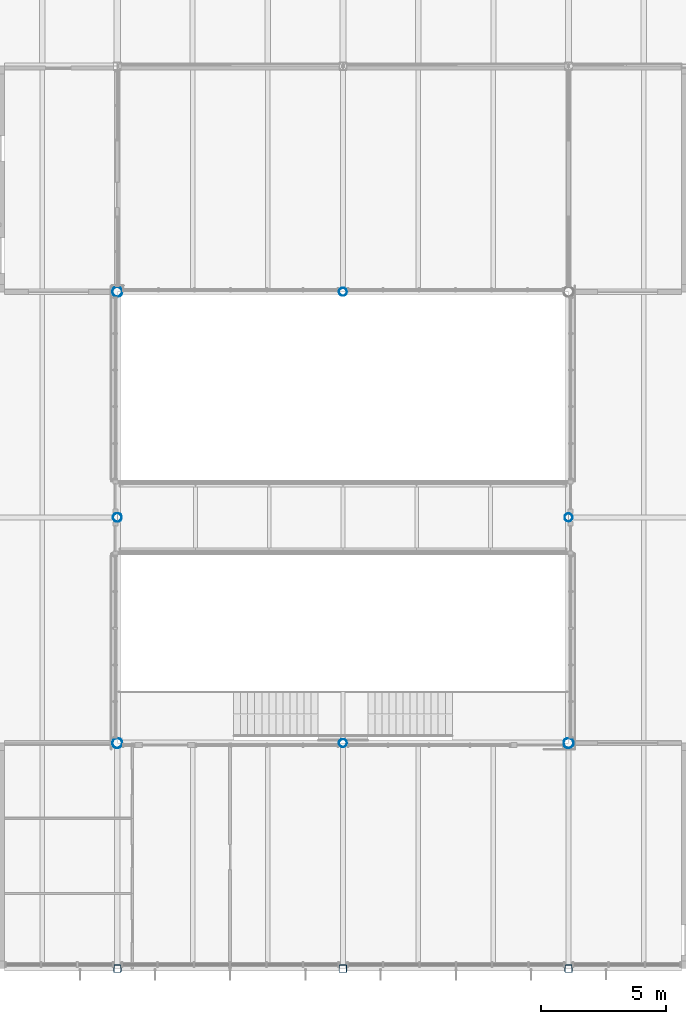
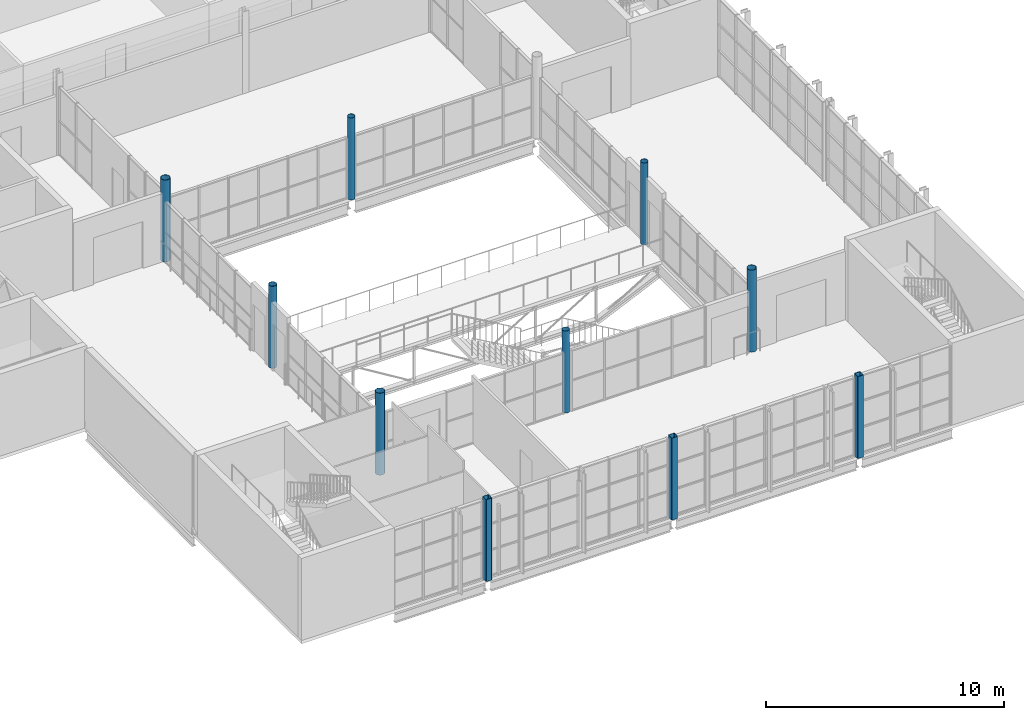
# One storey, part 5 of 61: 10 columns.
"""IFC4 building model written with IfcOpenShell, lengths in metres."""

from ifc_helpers import new_model, si_unit, direction, frame, origin, origin_2d, place, context, subcontext, project, spatial, hollow_rectangle, hollow_circle, extrude, material, material_profile, profile_set, type_object, element, save


model = new_model("IFC4")

# Units and contexts
model_context = context("Model", 3, precision=1e-05, world=origin(), true_north=direction((0.0, 1.0)))
body_context = subcontext(model_context, "Body", "Model", "MODEL_VIEW")
ifc_project = project(units=[si_unit("LENGTHUNIT", "METRE"), si_unit("AREAUNIT", "SQUARE_METRE"), si_unit("VOLUMEUNIT", "CUBIC_METRE"), si_unit("PLANEANGLEUNIT", "RADIAN"), si_unit("MASSUNIT", "GRAM", prefix="KILO")], contexts=[model_context])

# Site, building, storey
site_placement = place(None, origin())
site = spatial("IfcSite", under=ifc_project, at=site_placement, CompositionType="ELEMENT")
building_placement = place(site_placement, origin())
building = spatial("IfcBuilding", under=site, at=building_placement, Name="Halyard Row Museum", CompositionType="ELEMENT")
storey_placement = place(building_placement, frame((0.0, 0.0, 9.199951171875)))
storey = spatial("IfcBuildingStorey", under=building, at=storey_placement, Name="L02", CompositionType="ELEMENT", Elevation=9.199951171875)

# Columns
ifc_material_1 = material(Name="Steel Grade C350L0", Category="steel")
ifc_material_profile_1 = material_profile(ifc_material_1, hollow_rectangle(XDim=0.300048828125, YDim=0.300048828125, WallThickness=0.010009765625, InnerFilletRadius=0.014892578125, OuterFilletRadius=0.02490234375, at=origin_2d()), Name="300x300x10.0SHS")
ifc_profile_set_1 = profile_set([ifc_material_profile_1], Name="Steel Grade C350L0")
column_type_1 = type_object("IfcColumnType", Name="Column 300x300x10.0SHS edge", PredefinedType="COLUMN", material=ifc_profile_set_1)
column_1_placement = place(storey_placement, frame((90.0, 0.0, 0.0), z_axis=(0.0, 0.0, 1.0), x_axis=(1.0, 0.0, 0.0)))
element("IfcColumn", 1, at=column_1_placement, inside=storey, type_object=column_type_1, Name="Column 11A L02", PredefinedType="COLUMN", context=body_context, shape_type="SweptSolid", body=[
    extrude(hollow_rectangle(XDim=0.300048828125, YDim=0.300048828125, WallThickness=0.010009765625, InnerFilletRadius=0.014892578125, OuterFilletRadius=0.02490234375, at=origin_2d()), origin(), (0.0, 0.0, 1.0), 4.199951171875),
])
ifc_material_2 = material(Name="Steel Grade C350L0", Category="steel")
ifc_material_profile_2 = material_profile(ifc_material_2, hollow_rectangle(XDim=0.300048828125, YDim=0.300048828125, WallThickness=0.01611328125, InnerFilletRadius=0.02392578125, OuterFilletRadius=0.0400390625, at=origin_2d()), Name="300x300x16.0SHS")
ifc_profile_set_2 = profile_set([ifc_material_profile_2], Name="Steel Grade C350L0")
column_type_2 = type_object("IfcColumnType", Name="Column 300x300x16.0SHS edge", PredefinedType="COLUMN", material=ifc_profile_set_2)
for number, where, z_axis, x_axis, name in (
    (2, (81.0, 0.0, 0.0), (0.0, 0.0, 1.0), (1.0, 0.0, 0.0), "Column 10A L02"),
    (3, (99.0, 0.0, 0.0), (0.0, 0.0, 1.0), (1.0, 0.0, 0.0), "Column 12A L02"),
):
    element("IfcColumn", number, at=place(storey_placement, frame(where, z_axis=z_axis, x_axis=x_axis)), inside=storey, type_object=column_type_2, Name=name, PredefinedType="COLUMN", context=body_context, shape_type="SweptSolid", body=[
        extrude(hollow_rectangle(XDim=0.300048828125, YDim=0.300048828125, WallThickness=0.01611328125, InnerFilletRadius=0.02392578125, OuterFilletRadius=0.0400390625, at=origin_2d()), origin(), (0.0, 0.0, 1.0), 4.199951171875),
    ])
ifc_material_3 = material(Name="Steel Grade C350L0", Category="steel")
ifc_material_profile_3 = material_profile(ifc_material_3, hollow_circle(Radius=0.161865234375, WallThickness=0.009521484375, at=origin_2d()), Name="323.9x9.5CHS")
ifc_profile_set_3 = profile_set([ifc_material_profile_3], Name="Steel Grade C350L0")
column_type_3 = type_object("IfcColumnType", Name="Column 323.9x9.5CHS atrium", PredefinedType="COLUMN", material=ifc_profile_set_3)
for number, where, z_axis, x_axis, name in (
    (4, (90.0, 9.0, 0.0), (0.0, 0.0, 1.0), (1.0, 0.0, 0.0), "Column 11B L02"),
    (5, (99.0, 18.0, 0.0), (0.0, 0.0, 1.0), (1.0, 0.0, 0.0), "Column 12C L02"),
    (6, (90.0, 27.0, 0.0), (0.0, 0.0, 1.0), (1.0, 0.0, 0.0), "Column 11D L02"),
):
    element("IfcColumn", number, at=place(storey_placement, frame(where, z_axis=z_axis, x_axis=x_axis)), inside=storey, type_object=column_type_3, Name=name, PredefinedType="COLUMN", context=body_context, shape_type="SweptSolid", body=[
        extrude(hollow_circle(Radius=0.161865234375, WallThickness=0.009521484375, at=origin_2d()), origin(), (0.0, 0.0, 1.0), 4.199951171875),
    ])
ifc_material_4 = material(Name="Steel Grade C350L0", Category="steel")
ifc_material_profile_4 = material_profile(ifc_material_4, hollow_circle(Radius=0.177734375, WallThickness=0.0126953125, at=origin_2d()), Name="355.6x12.7CHS")
ifc_profile_set_4 = profile_set([ifc_material_profile_4], Name="Steel Grade C350L0")
column_type_4 = type_object("IfcColumnType", Name="Column 355.6x12.7CHS atrium", PredefinedType="COLUMN", material=ifc_profile_set_4)
column_2_placement = place(storey_placement, frame((81.0, 18.0, 0.0), z_axis=(0.0, 0.0, 1.0), x_axis=(1.0, 0.0, 0.0)))
element("IfcColumn", 7, at=column_2_placement, inside=storey, type_object=column_type_4, Name="Column 10C L02", PredefinedType="COLUMN", context=body_context, shape_type="SweptSolid", body=[
    extrude(hollow_circle(Radius=0.177734375, WallThickness=0.0126953125, at=origin_2d()), origin(), (0.0, 0.0, 1.0), 4.199951171875),
])
ifc_material_5 = material(Name="Steel Grade C350L0", Category="steel")
ifc_material_profile_5 = material_profile(ifc_material_5, hollow_circle(Radius=0.203125, WallThickness=0.0126953125, at=origin_2d()), Name="406.4x12.7CHS")
ifc_profile_set_5 = profile_set([ifc_material_profile_5], Name="Steel Grade C350L0")
column_type_5 = type_object("IfcColumnType", Name="Column 406.4x12.7CHS atrium", PredefinedType="COLUMN", material=ifc_profile_set_5)
for number, where, z_axis, x_axis, name in (
    (8, (81.0, 9.0, 0.0), (0.0, 0.0, 1.0), (1.0, 0.0, 0.0), "Column 10B L02"),
    (9, (99.0, 9.0, 0.0), (0.0, 0.0, 1.0), (1.0, 0.0, 0.0), "Column 12B L02"),
    (10, (81.0, 27.0, 0.0), (0.0, 0.0, 1.0), (1.0, 0.0, 0.0), "Column 10D L02"),
):
    element("IfcColumn", number, at=place(storey_placement, frame(where, z_axis=z_axis, x_axis=x_axis)), inside=storey, type_object=column_type_5, Name=name, PredefinedType="COLUMN", context=body_context, shape_type="SweptSolid", body=[
        extrude(hollow_circle(Radius=0.203125, WallThickness=0.0126953125, at=origin_2d()), origin(), (0.0, 0.0, 1.0), 4.199951171875),
    ])

save(model, "model.ifc")
